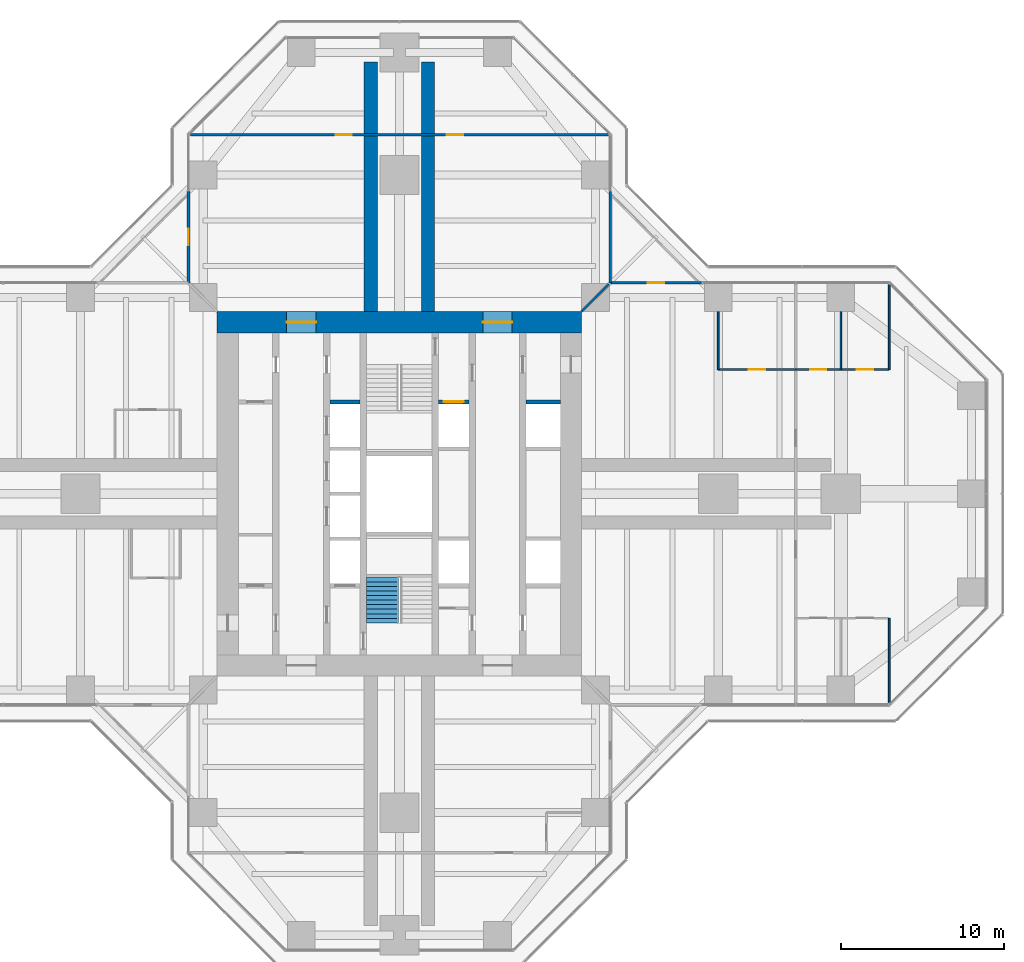
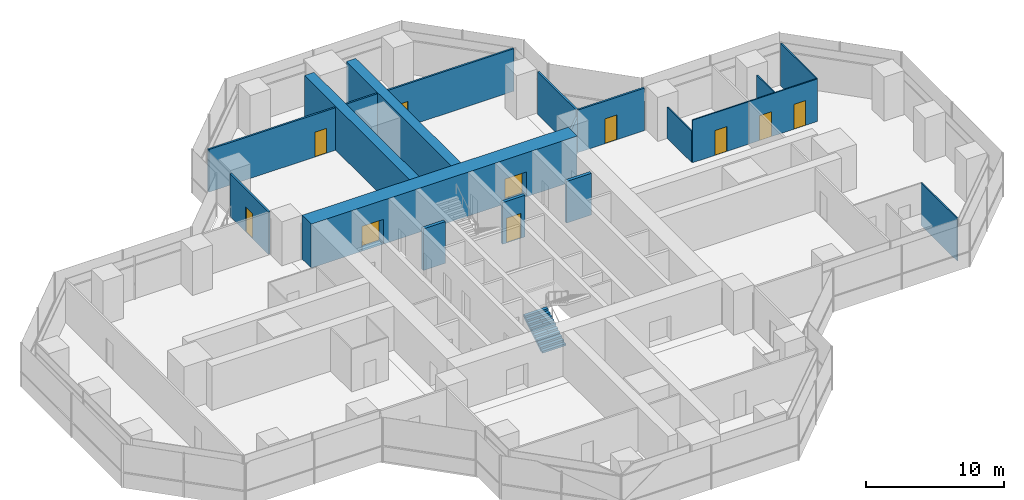
# One storey, part 17 of 19: 17 walls, 10 doors, 1 stair flight, 10 openings, 1 element without a shape of its own.
"""IFC4 building model written with IfcOpenShell, lengths in metres."""

from ifc_helpers import new_model, si_unit, direction, frame, frame_2d, origin, place, context, subcontext, project, spatial, polyline, rectangle, outline, extrude, material, layer, layer_set, type_object, element, fill, aggregate, save


model = new_model("IFC4")

# Units and contexts
model_context = context("Model", 3, precision=1e-05, world=origin(), true_north=direction((0.0, 1.0)))
body_context = subcontext(model_context, "Body", "Model", "MODEL_VIEW")
ifc_project = project(units=[si_unit("LENGTHUNIT", "METRE"), si_unit("AREAUNIT", "SQUARE_METRE"), si_unit("VOLUMEUNIT", "CUBIC_METRE"), si_unit("PLANEANGLEUNIT", "RADIAN"), si_unit("MASSUNIT", "GRAM", prefix="KILO")], contexts=[model_context])

# Site, building, storey
site_placement = place(None, origin())
site = spatial("IfcSite", under=ifc_project, at=site_placement, CompositionType="ELEMENT")
building_placement = place(site_placement, origin())
building = spatial("IfcBuilding", under=site, at=building_placement, Name="Mizan Broadcast Tower", CompositionType="ELEMENT")
storey_placement = place(building_placement, frame((0.0, 0.0, 128.10009765625)))
storey = spatial("IfcBuildingStorey", under=building, at=storey_placement, Name="L28", CompositionType="ELEMENT", Elevation=128.10009765625)

# Wall, openings, doors
ifc_material_1 = material(Name="Concrete C70/85", Category="concrete")
ifc_layer_1 = layer(ifc_material_1, 1.300048828125)
ifc_layer_set_1 = layer_set([ifc_layer_1], Name="Concrete C70/85")
wall_type_1 = type_object("IfcWallType", Name="CORE WALL 1300", PredefinedType="SHEAR", material=ifc_layer_set_1)
wall_1_placement = place(storey_placement, frame((-11.14990234375, 10.5, 0.0), z_axis=(0.0, 0.0, 1.0), x_axis=(1.0, 0.0, 0.0)))
wall_1 = element("IfcWall", 1, at=wall_1_placement, inside=storey, type_object=wall_type_1, Name="Core wall N L28", PredefinedType="SHEAR", context=body_context, shape_type="SweptSolid", body=[
    extrude(rectangle(XDim=22.2998046875, YDim=1.300048828125, at=frame_2d((11.14990234375, 0.0))), origin(), (0.0, 0.0, 1.0), 3.89990234375),
])
opening_1_placement = place(wall_1_placement, frame((4.25, 0.0, 0.0)))
opening_1 = element("IfcOpeningElement", 2, at=opening_1_placement, cuts=wall_1, Name="Opening D18F", PredefinedType="OPENING", context=body_context, shape_type="SweptSolid", body=[
    extrude(rectangle(XDim=1.800048828125, YDim=2.199951171875, at=frame_2d((0.89990234375, 1.10009765625))), frame((0.0, 0.659912109375, 0.0), z_axis=(0.0, -1.0, 0.0), x_axis=(1.0, 0.0, 0.0)), (0.0, 0.0, 1.0), 1.320068359375),
])
opening_2_placement = place(wall_1_placement, frame((16.25, 0.0, 0.0)))
opening_2 = element("IfcOpeningElement", 3, at=opening_2_placement, cuts=wall_1, Name="Opening D18F", PredefinedType="OPENING", context=body_context, shape_type="SweptSolid", body=[
    extrude(rectangle(XDim=1.800048828125, YDim=2.199951171875, at=frame_2d((0.89990234375, 1.10009765625))), frame((0.0, 0.659912109375, 0.0), z_axis=(0.0, -1.0, 0.0), x_axis=(1.0, 0.0, 0.0)), (0.0, 0.0, 1.0), 1.320068359375),
])
ifc_material_2 = material(Name="Steel door leaf in steel frame", Category="steel")
door_type_1 = type_object("IfcDoorType", Name="LOBBY DOUBLE DOOR 1800 FD90", OperationType="DOUBLE_DOOR_DOUBLE_SWING", PredefinedType="DOOR", material=ifc_material_2)
door_1_placement = place(opening_1_placement, origin())
door_1 = element("IfcDoor", 4, at=door_1_placement, inside=storey, type_object=door_type_1, Name="West lift lobby north door", OperationType="DOUBLE_DOOR_DOUBLE_SWING", OverallHeight=2.199951171875, OverallWidth=1.800048828125, PredefinedType="DOOR", context=body_context, shape_type="SweptSolid", body=[
    extrude(rectangle(XDim=1.800048828125, YDim=2.199951171875, at=frame_2d((0.89990234375, 1.10009765625))), frame((0.0, 0.02490234375, 0.0), z_axis=(0.0, -1.0, 0.0), x_axis=(1.0, 0.0, 0.0)), (0.0, 0.0, 1.0), 0.050048828125),
])
fill(opening_1, door_1)
door_2_placement = place(opening_2_placement, origin())
door_2 = element("IfcDoor", 5, at=door_2_placement, inside=storey, type_object=door_type_1, Name="East lift lobby north door", OperationType="DOUBLE_DOOR_DOUBLE_SWING", OverallHeight=2.199951171875, OverallWidth=1.800048828125, PredefinedType="DOOR", context=body_context, shape_type="SweptSolid", body=[
    extrude(rectangle(XDim=1.800048828125, YDim=2.199951171875, at=frame_2d((0.89990234375, 1.10009765625))), frame((0.0, 0.02490234375, 0.0), z_axis=(0.0, -1.0, 0.0), x_axis=(1.0, 0.0, 0.0)), (0.0, 0.0, 1.0), 0.050048828125),
])
fill(opening_2, door_2)

# Wall, opening, door
ifc_material_3 = material(Name="Aluminium framed glazed screen", Category="aluminium")
ifc_layer_2 = layer(ifc_material_3, 0.159912109375)
ifc_layer_set_2 = layer_set([ifc_layer_2], Name="Aluminium framed glazed screen")
wall_type_2 = type_object("IfcWallType", Name="GLAZED SCREEN WALL 160", PredefinedType="SOLIDWALL", material=ifc_layer_set_2)
wall_2_placement = place(storey_placement, frame((18.5, 12.89990234375, 0.0), z_axis=(0.0, 0.0, 1.0), x_axis=(-1.0, 0.0, 0.0)))
wall_2 = element("IfcWall", 6, at=wall_2_placement, inside=storey, type_object=wall_type_2, Name="Winter garden screen L28 E", PredefinedType="SOLIDWALL", context=body_context, shape_type="SweptSolid", body=[
    extrude(rectangle(XDim=5.60009765625, YDim=0.159912109375, at=frame_2d((2.800048828125, 0.0))), origin(), (0.0, 0.0, 1.0), 3.77001953125),
])
opening_3_placement = place(wall_2_placement, frame((2.300048828125, 0.0, 0.0)))
opening_3 = element("IfcOpeningElement", 7, at=opening_3_placement, cuts=wall_2, Name="Opening WGD", PredefinedType="OPENING", context=body_context, shape_type="SweptSolid", body=[
    extrude(rectangle(XDim=1.0, YDim=2.199951171875, at=frame_2d((0.5, 1.10009765625))), frame((0.0, 0.08984375, 0.0), z_axis=(0.0, -1.0, 0.0), x_axis=(1.0, 0.0, 0.0)), (0.0, 0.0, 1.0), 0.179931640625),
])
ifc_material_4 = material(Name="Aluminium framed glazed door", Category="aluminium")
door_type_2 = type_object("IfcDoorType", Name="WINTER GARDEN DOOR 1000 GLAZED", OperationType="SINGLE_SWING_LEFT", PredefinedType="DOOR", material=ifc_material_4)
door_3_placement = place(opening_3_placement, origin())
door_3 = element("IfcDoor", 8, at=door_3_placement, inside=storey, type_object=door_type_2, Name="Winter garden door L28 E", OperationType="SINGLE_SWING_RIGHT", OverallHeight=2.199951171875, OverallWidth=1.0, PredefinedType="DOOR", context=body_context, shape_type="SweptSolid", body=[
    extrude(rectangle(XDim=1.0, YDim=2.199951171875, at=frame_2d((0.5, 1.10009765625))), frame((0.0, 0.02490234375, 0.0), z_axis=(0.0, -1.0, 0.0), x_axis=(1.0, 0.0, 0.0)), (0.0, 0.0, 1.0), 0.050048828125),
])
fill(opening_3, door_3)

# Wall
wall_3_placement = place(storey_placement, frame((12.89990234375, 12.89990234375, 0.0), z_axis=(0.0, 0.0, 1.0), x_axis=(0.0, 1.0, 0.0)))
element("IfcWall", 9, at=wall_3_placement, inside=storey, type_object=wall_type_2, Name="Winter garden screen L28 N", PredefinedType="SOLIDWALL", context=body_context, shape_type="SweptSolid", body=[
    extrude(rectangle(XDim=5.60009765625, YDim=0.159912109375, at=frame_2d((2.800048828125, 0.0))), origin(), (0.0, 0.0, 1.0), 3.77001953125),
])

# Wall, opening, door
wall_4_placement = place(storey_placement, frame((-12.89990234375, 18.5, 0.0), z_axis=(0.0, 0.0, 1.0), x_axis=(0.0, -1.0, 0.0)))
wall_4 = element("IfcWall", 10, at=wall_4_placement, inside=storey, type_object=wall_type_2, Name="Winter garden screen L28 N", PredefinedType="SOLIDWALL", context=body_context, shape_type="SweptSolid", body=[
    extrude(rectangle(XDim=5.60009765625, YDim=0.159912109375, at=frame_2d((2.800048828125, 0.0))), origin(), (0.0, 0.0, 1.0), 3.77001953125),
])
opening_4_placement = place(wall_4_placement, frame((2.300048828125, 0.0, 0.0)))
opening_4 = element("IfcOpeningElement", 11, at=opening_4_placement, cuts=wall_4, Name="Opening WGD", PredefinedType="OPENING", context=body_context, shape_type="SweptSolid", body=[
    extrude(rectangle(XDim=1.0, YDim=2.199951171875, at=frame_2d((0.5, 1.10009765625))), frame((0.0, 0.08984375, 0.0), z_axis=(0.0, -1.0, 0.0), x_axis=(1.0, 0.0, 0.0)), (0.0, 0.0, 1.0), 0.179931640625),
])
door_4_placement = place(opening_4_placement, origin())
door_4 = element("IfcDoor", 12, at=door_4_placement, inside=storey, type_object=door_type_2, Name="Winter garden door L28 N", OperationType="SINGLE_SWING_RIGHT", OverallHeight=2.199951171875, OverallWidth=1.0, PredefinedType="DOOR", context=body_context, shape_type="SweptSolid", body=[
    extrude(rectangle(XDim=1.0, YDim=2.199951171875, at=frame_2d((0.5, 1.10009765625))), frame((0.0, 0.02490234375, 0.0), z_axis=(0.0, -1.0, 0.0), x_axis=(1.0, 0.0, 0.0)), (0.0, 0.0, 1.0), 0.050048828125),
])
fill(opening_4, door_4)

# Wall
ifc_material_5 = material(Name="Concrete blockwork", Category="masonry")
ifc_layer_3 = layer(ifc_material_5, 0.25)
ifc_layer_set_3 = layer_set([ifc_layer_3], Name="Concrete blockwork")
wall_type_3 = type_object("IfcWallType", Name="LOBBY ENCLOSURE WALL 250", PredefinedType="SOLIDWALL", material=ifc_layer_set_3)
wall_5_placement = place(storey_placement, frame((-4.25, 5.625, 0.0), z_axis=(0.0, 0.0, 1.0), x_axis=(1.0, 0.0, 0.0)))
element("IfcWall", 13, at=wall_5_placement, inside=storey, type_object=wall_type_3, Name="Lobby enclosure wall CORE/BW2N", PredefinedType="SOLIDWALL", context=body_context, shape_type="SweptSolid", body=[
    extrude(rectangle(XDim=1.85009765625, YDim=0.25, at=frame_2d((0.925048828125, 0.0))), origin(), (0.0, 0.0, 1.0), 3.699951171875),
])

# Wall, opening, door
wall_6_placement = place(storey_placement, frame((2.39990234375, 5.625, 0.0), z_axis=(0.0, 0.0, 1.0), x_axis=(1.0, 0.0, 0.0)))
wall_6 = element("IfcWall", 14, at=wall_6_placement, inside=storey, type_object=wall_type_3, Name="Lobby enclosure wall CORE/BE2N", PredefinedType="SOLIDWALL", context=body_context, shape_type="SweptSolid", body=[
    extrude(rectangle(XDim=1.85009765625, YDim=0.25, at=frame_2d((0.925048828125, 0.0))), origin(), (0.0, 0.0, 1.0), 3.699951171875),
])
opening_5_placement = place(wall_6_placement, frame((0.324951171875, 0.0, 0.0)))
opening_5 = element("IfcOpeningElement", 15, at=opening_5_placement, cuts=wall_6, Name="Opening LDF", PredefinedType="OPENING", context=body_context, shape_type="SweptSolid", body=[
    extrude(rectangle(XDim=1.199951171875, YDim=2.199951171875, at=frame_2d((0.60009765625, 1.10009765625))), frame((0.0, 0.135009765625, 0.0), z_axis=(0.0, -1.0, 0.0), x_axis=(1.0, 0.0, 0.0)), (0.0, 0.0, 1.0), 0.27001953125),
])
ifc_material_6 = material(Name="Steel door leaf in steel frame", Category="steel")
door_type_3 = type_object("IfcDoorType", Name="FIREFIGHTING LIFT LANDING DOOR 1200", OperationType="SLIDING_TO_LEFT", PredefinedType="DOOR", material=ifc_material_6)
door_5_placement = place(opening_5_placement, origin())
door_5 = element("IfcDoor", 16, at=door_5_placement, inside=storey, type_object=door_type_3, Name="Landing door FF2", OperationType="SLIDING_TO_LEFT", OverallHeight=2.199951171875, OverallWidth=1.199951171875, PredefinedType="DOOR", context=body_context, shape_type="SweptSolid", body=[
    extrude(rectangle(XDim=1.199951171875, YDim=2.199951171875, at=frame_2d((0.60009765625, 1.10009765625))), frame((0.0, 0.02490234375, 0.0), z_axis=(0.0, -1.0, 0.0), x_axis=(1.0, 0.0, 0.0)), (0.0, 0.0, 1.0), 0.050048828125),
])
fill(opening_5, door_5)

# Wall
wall_7_placement = place(storey_placement, frame((7.75, 5.625, 0.0), z_axis=(0.0, 0.0, 1.0), x_axis=(1.0, 0.0, 0.0)))
element("IfcWall", 17, at=wall_7_placement, inside=storey, type_object=wall_type_3, Name="Lobby enclosure wall CORE/BE1N", PredefinedType="SOLIDWALL", context=body_context, shape_type="SweptSolid", body=[
    extrude(rectangle(XDim=2.10009765625, YDim=0.25, at=frame_2d((1.050048828125, 0.0))), origin(), (0.0, 0.0, 1.0), 3.699951171875),
])

# Wall, openings, doors
ifc_material_7 = material(Name="Gypsum board on steel studs", Category="steel")
ifc_layer_4 = layer(ifc_material_7, 0.14990234375)
ifc_layer_set_4 = layer_set([ifc_layer_4], Name="Gypsum board on steel studs")
wall_type_4 = type_object("IfcWallType", Name="PARTITION 150", PredefinedType="PARTITIONING", material=ifc_layer_set_4)
wall_8_placement = place(storey_placement, frame((12.786376953125, 21.958984375, 0.0), z_axis=(0.0, 0.0, 1.0), x_axis=(-1.0, 0.0, 0.0)))
wall_8 = element("IfcWall", 18, at=wall_8_placement, inside=storey, type_object=wall_type_4, Name="Partition PT/NX1", PredefinedType="PARTITIONING", context=body_context, shape_type="SweptSolid", body=[
    extrude(rectangle(XDim=25.57275390625, YDim=0.14990234375, at=frame_2d((12.786376953125, 0.0))), origin(), (0.0, 0.0, 1.0), 3.77001953125),
])
opening_6_placement = place(wall_8_placement, frame((15.6865234375, 0.0, 0.0)))
opening_6 = element("IfcOpeningElement", 19, at=opening_6_placement, cuts=wall_8, Name="Opening D10", PredefinedType="OPENING", context=body_context, shape_type="SweptSolid", body=[
    extrude(rectangle(XDim=1.0, YDim=2.199951171875, at=frame_2d((0.5, 1.10009765625))), frame((0.0, 0.0849609375, 0.0), z_axis=(0.0, -1.0, 0.0), x_axis=(1.0, 0.0, 0.0)), (0.0, 0.0, 1.0), 0.169921875),
])
opening_7_placement = place(wall_8_placement, frame((8.886474609375, 0.0, 0.0)))
opening_7 = element("IfcOpeningElement", 20, at=opening_7_placement, cuts=wall_8, Name="Opening D10", PredefinedType="OPENING", context=body_context, shape_type="SweptSolid", body=[
    extrude(rectangle(XDim=1.0, YDim=2.199951171875, at=frame_2d((0.5, 1.10009765625))), frame((0.0, 0.0849609375, 0.0), z_axis=(0.0, -1.0, 0.0), x_axis=(1.0, 0.0, 0.0)), (0.0, 0.0, 1.0), 0.169921875),
])
ifc_material_8 = material(Name="Timber door leaf in aluminium frame", Category="wood")
door_type_4 = type_object("IfcDoorType", Name="ROOM DOOR 1000", OperationType="SINGLE_SWING_LEFT", PredefinedType="DOOR", material=ifc_material_8)
door_6_placement = place(opening_6_placement, origin())
door_6 = element("IfcDoor", 21, at=door_6_placement, inside=storey, type_object=door_type_4, Name="Finance director's office door", OperationType="SINGLE_SWING_RIGHT", OverallHeight=2.199951171875, OverallWidth=1.0, PredefinedType="DOOR", context=body_context, shape_type="SweptSolid", body=[
    extrude(rectangle(XDim=1.0, YDim=2.199951171875, at=frame_2d((0.5, 1.10009765625))), frame((0.0, 0.02490234375, 0.0), z_axis=(0.0, -1.0, 0.0), x_axis=(1.0, 0.0, 0.0)), (0.0, 0.0, 1.0), 0.050048828125),
])
fill(opening_6, door_6)
door_7_placement = place(opening_7_placement, origin())
door_7 = element("IfcDoor", 22, at=door_7_placement, inside=storey, type_object=door_type_4, Name="Finance director's office door", OperationType="SINGLE_SWING_LEFT", OverallHeight=2.199951171875, OverallWidth=1.0, PredefinedType="DOOR", context=body_context, shape_type="SweptSolid", body=[
    extrude(rectangle(XDim=1.0, YDim=2.199951171875, at=frame_2d((0.5, 1.10009765625))), frame((0.0, 0.02490234375, 0.0), z_axis=(0.0, -1.0, 0.0), x_axis=(1.0, 0.0, 0.0)), (0.0, 0.0, 1.0), 0.050048828125),
])
fill(opening_7, door_7)

# Wall
wall_9_placement = place(storey_placement, frame((11.14990234375, 11.14990234375, 0.0), z_axis=(0.0, 0.0, 1.0), x_axis=(0.707106781187, 0.707106781187, 0.0)))
element("IfcWall", 23, at=wall_9_placement, inside=storey, type_object=wall_type_4, Name="Partition PT/DGEN", PredefinedType="PARTITIONING", context=body_context, shape_type="SweptSolid", body=[
    extrude(rectangle(XDim=2.362060546875, YDim=0.14990234375, at=frame_2d((1.18115234375, 0.0))), origin(), (0.0, 0.0, 1.0), 3.219970703125),
])

# Wall, opening, door
ifc_material_9 = material(Name="Glazed aluminium partition on aluminium track", Category="aluminium")
ifc_layer_5 = layer(ifc_material_9, 0.10009765625)
ifc_layer_set_5 = layer_set([ifc_layer_5], Name="Glazed aluminium partition on aluminium track")
wall_type_5 = type_object("IfcWallType", Name="PARTITION GLAZED OFFICE FRONT 100", PredefinedType="PARTITIONING", material=ifc_layer_set_5)
wall_10_placement = place(storey_placement, frame((19.5, 7.60009765625, 0.0), z_axis=(0.0, 0.0, 1.0), x_axis=(1.0, 0.0, 0.0)))
wall_10 = element("IfcWall", 24, at=wall_10_placement, inside=storey, type_object=wall_type_5, Name="Glazed office front PT/ECP0", PredefinedType="PARTITIONING", context=body_context, shape_type="SweptSolid", body=[
    extrude(rectangle(XDim=4.72900390625, YDim=0.10009765625, at=frame_2d((2.364501953125, 0.0))), origin(), (0.0, 0.0, 1.0), 3.77001953125),
])
opening_8_placement = place(wall_10_placement, frame((1.864501953125, 0.0, 0.0)))
opening_8 = element("IfcOpeningElement", 25, at=opening_8_placement, cuts=wall_10, Name="Opening D10O", PredefinedType="OPENING", context=body_context, shape_type="SweptSolid", body=[
    extrude(rectangle(XDim=1.0, YDim=2.199951171875, at=frame_2d((0.5, 1.10009765625))), frame((0.0, 0.06005859375, 0.0), z_axis=(0.0, -1.0, 0.0), x_axis=(1.0, 0.0, 0.0)), (0.0, 0.0, 1.0), 0.1201171875),
])
ifc_material_10 = material(Name="Timber door leaf in aluminium frame", Category="wood")
door_type_5 = type_object("IfcDoorType", Name="OFFICE DOOR 1000 GLAZED", OperationType="SINGLE_SWING_LEFT", PredefinedType="DOOR", material=ifc_material_10)
door_8_placement = place(opening_8_placement, origin())
door_8 = element("IfcDoor", 26, at=door_8_placement, inside=storey, type_object=door_type_5, Name="Office door", OperationType="SINGLE_SWING_LEFT", OverallHeight=2.199951171875, OverallWidth=1.0, PredefinedType="DOOR", context=body_context, shape_type="SweptSolid", body=[
    extrude(rectangle(XDim=1.0, YDim=2.199951171875, at=frame_2d((0.5, 1.10009765625))), frame((0.0, 0.02490234375, 0.0), z_axis=(0.0, -1.0, 0.0), x_axis=(1.0, 0.0, 0.0)), (0.0, 0.0, 1.0), 0.050048828125),
])
fill(opening_8, door_8)

# Wall, openings, doors
wall_11_placement = place(storey_placement, frame((24.22900390625, 7.60009765625, 0.0), z_axis=(0.0, 0.0, 1.0), x_axis=(1.0, 0.0, 0.0)))
wall_11 = element("IfcWall", 27, at=wall_11_placement, inside=storey, type_object=wall_type_5, Name="Glazed office front PT/ECP1", PredefinedType="PARTITIONING", context=body_context, shape_type="SweptSolid", body=[
    extrude(rectangle(XDim=5.72998046875, YDim=0.10009765625, at=frame_2d((2.864990234375, 0.0))), origin(), (0.0, 0.0, 1.0), 3.77001953125),
])
opening_9_placement = place(wall_11_placement, frame((0.885498046875, 0.0, 0.0)))
opening_9 = element("IfcOpeningElement", 28, at=opening_9_placement, cuts=wall_11, Name="Opening D10O", PredefinedType="OPENING", context=body_context, shape_type="SweptSolid", body=[
    extrude(rectangle(XDim=1.0, YDim=2.199951171875, at=frame_2d((0.5, 1.10009765625))), frame((0.0, 0.06005859375, 0.0), z_axis=(0.0, -1.0, 0.0), x_axis=(1.0, 0.0, 0.0)), (0.0, 0.0, 1.0), 0.1201171875),
])
opening_10_placement = place(wall_11_placement, frame((3.75048828125, 0.0, 0.0)))
opening_10 = element("IfcOpeningElement", 29, at=opening_10_placement, cuts=wall_11, Name="Opening D10O", PredefinedType="OPENING", context=body_context, shape_type="SweptSolid", body=[
    extrude(rectangle(XDim=1.0, YDim=2.199951171875, at=frame_2d((0.5, 1.10009765625))), frame((0.0, 0.06005859375, 0.0), z_axis=(0.0, -1.0, 0.0), x_axis=(1.0, 0.0, 0.0)), (0.0, 0.0, 1.0), 0.1201171875),
])
door_9_placement = place(opening_9_placement, origin())
door_9 = element("IfcDoor", 30, at=door_9_placement, inside=storey, type_object=door_type_5, Name="Office door", OperationType="SINGLE_SWING_LEFT", OverallHeight=2.199951171875, OverallWidth=1.0, PredefinedType="DOOR", context=body_context, shape_type="SweptSolid", body=[
    extrude(rectangle(XDim=1.0, YDim=2.199951171875, at=frame_2d((0.5, 1.10009765625))), frame((0.0, 0.02490234375, 0.0), z_axis=(0.0, -1.0, 0.0), x_axis=(1.0, 0.0, 0.0)), (0.0, 0.0, 1.0), 0.050048828125),
])
fill(opening_9, door_9)
door_10_placement = place(opening_10_placement, origin())
door_10 = element("IfcDoor", 31, at=door_10_placement, inside=storey, type_object=door_type_5, Name="Office door", OperationType="SINGLE_SWING_RIGHT", OverallHeight=2.199951171875, OverallWidth=1.0, PredefinedType="DOOR", context=body_context, shape_type="SweptSolid", body=[
    extrude(rectangle(XDim=1.0, YDim=2.199951171875, at=frame_2d((0.5, 1.10009765625))), frame((0.0, 0.02490234375, 0.0), z_axis=(0.0, -1.0, 0.0), x_axis=(1.0, 0.0, 0.0)), (0.0, 0.0, 1.0), 0.050048828125),
])
fill(opening_10, door_10)

# Walls
wall_12_placement = place(storey_placement, frame((19.5, 7.60009765625, 0.0), z_axis=(0.0, 0.0, 1.0), x_axis=(0.0, 1.0, 0.0)))
element("IfcWall", 32, at=wall_12_placement, inside=storey, type_object=wall_type_5, Name="Glazed office front PT/EQP1950", PredefinedType="PARTITIONING", context=body_context, shape_type="SweptSolid", body=[
    extrude(rectangle(XDim=3.5498046875, YDim=0.10009765625, at=frame_2d((1.77490234375, 0.0))), origin(), (0.0, 0.0, 1.0), 2.77001953125),
])
wall_13_placement = place(storey_placement, frame((27.0, 7.60009765625, 0.0), z_axis=(0.0, 0.0, 1.0), x_axis=(0.0, 1.0, 0.0)))
element("IfcWall", 33, at=wall_13_placement, inside=storey, type_object=wall_type_5, Name="Glazed office front PT/EQP2700", PredefinedType="PARTITIONING", context=body_context, shape_type="SweptSolid", body=[
    extrude(rectangle(XDim=3.5498046875, YDim=0.10009765625, at=frame_2d((1.77490234375, 0.0))), origin(), (0.0, 0.0, 1.0), 2.969970703125),
])
for number, where, z_axis, x_axis, name in (
    (34, (29.958984375, 7.60009765625, 0.0), (0.0, 0.0, 1.0), (0.0, 1.0, 0.0), "Glazed office front PT/EQP2996"),
    (35, (29.958984375, -7.60009765625, 0.0), (0.0, 0.0, 1.0), (0.0, -1.0, 0.0), "Glazed office front PT/EQN2996"),
):
    element("IfcWall", number, at=place(storey_placement, frame(where, z_axis=z_axis, x_axis=x_axis)), inside=storey, type_object=wall_type_5, Name=name, PredefinedType="PARTITIONING", context=body_context, shape_type="SweptSolid", body=[
        extrude(rectangle(XDim=5.219970703125, YDim=0.10009765625, at=frame_2d((2.60986328125, 0.0))), origin(), (0.0, 0.0, 1.0), 3.77001953125),
    ])
ifc_material_11 = material(Name="Concrete C70/85", Category="concrete")
ifc_layer_6 = layer(ifc_material_11, 0.800048828125)
ifc_layer_set_6 = layer_set([ifc_layer_6], Name="Concrete C70/85")
wall_type_6 = type_object("IfcWallType", Name="SPINE WALL 800", PredefinedType="SHEAR", material=ifc_layer_set_6)
for number, where, z_axis, x_axis, name in (
    (36, (1.75, 11.14990234375, 0.0), (0.0, 0.0, 1.0), (0.0, 1.0, 0.0), "Spine wall NR L28"),
    (37, (-1.75, 11.14990234375, 0.0), (0.0, 0.0, 1.0), (0.0, 1.0, 0.0), "Spine wall NL L28"),
):
    element("IfcWall", number, at=place(storey_placement, frame(where, z_axis=z_axis, x_axis=x_axis)), inside=storey, type_object=wall_type_6, Name=name, PredefinedType="SHEAR", context=body_context, shape_type="SweptSolid", body=[
        extrude(rectangle(XDim=15.25, YDim=0.800048828125, at=frame_2d((7.625, 0.0))), origin(), (0.0, 0.0, 1.0), 3.89990234375),
    ])

# Stair, stair flight
ifc_material_12 = material(Name="Concrete C40/50", Category="concrete")
stair_type = type_object("IfcStairType", Name="EXIT STAIR", PredefinedType="HALF_TURN_STAIR", material=ifc_material_12)
stair_placement = place(storey_placement, origin())
stair = element("IfcStair", 38, at=stair_placement, inside=storey, type_object=stair_type, Name="Stair A L28", PredefinedType="HALF_TURN_STAIR")
ifc_material_13 = material(Name="Concrete C40/50", Category="concrete")
stair_flight_type = type_object("IfcStairFlightType", Name="EXIT STAIR FLIGHT", PredefinedType="STRAIGHT", material=ifc_material_13)
stair_flight_placement = place(storey_placement, frame((-1.02490234375, -7.89990234375, 0.0), z_axis=(0.0, 0.0, 1.0), x_axis=(0.0, 1.0, 0.0)))
stair_flight = element("IfcStairFlight", 39, at=stair_flight_placement, type_object=stair_flight_type, Name="A flight 1", NumberOfRisers=11, NumberOfTreads=10, PredefinedType="STRAIGHT", RiserHeight=0.177272727, TreadLength=0.28, context=body_context, shape_type="SweptSolid", body=[
    extrude(outline(polyline([(0.0, 0.0), (0.0, 0.17724609375), (0.280029296875, 0.17724609375), (0.280029296875, 0.3544921875), (0.56005859375, 0.3544921875), (0.56005859375, 0.53173828125), (0.840087890625, 0.53173828125), (0.840087890625, 0.708984375), (1.1201171875, 0.708984375), (1.1201171875, 0.886474609375), (1.39990234375, 0.886474609375), (1.39990234375, 1.063720703125), (1.679931640625, 1.063720703125), (1.679931640625, 1.240966796875), (1.9599609375, 1.240966796875), (1.9599609375, 1.418212890625), (2.239990234375, 1.418212890625), (2.239990234375, 1.595458984375), (2.52001953125, 1.595458984375), (2.52001953125, 1.772705078125), (2.800048828125, 1.772705078125), (2.800048828125, 1.949951171875), (2.800048828125, 1.59521484375), (0.2802734375, 0.0), (0.0, 0.0)])), frame((0.0, 0.97509765625, 0.0), z_axis=(0.0, -1.0, 0.0), x_axis=(1.0, 0.0, 0.0)), (0.0, 0.0, 1.0), 0.4873046875),
    extrude(outline(polyline([(0.0, 0.0), (0.0, 0.17724609375), (0.280029296875, 0.17724609375), (0.280029296875, 0.3544921875), (0.56005859375, 0.3544921875), (0.56005859375, 0.53173828125), (0.840087890625, 0.53173828125), (0.840087890625, 0.708984375), (1.1201171875, 0.708984375), (1.1201171875, 0.886474609375), (1.39990234375, 0.886474609375), (1.39990234375, 1.063720703125), (1.679931640625, 1.063720703125), (1.679931640625, 1.240966796875), (1.9599609375, 1.240966796875), (1.9599609375, 1.418212890625), (2.239990234375, 1.418212890625), (2.239990234375, 1.595458984375), (2.52001953125, 1.595458984375), (2.52001953125, 1.772705078125), (2.800048828125, 1.772705078125), (2.800048828125, 1.949951171875), (2.800048828125, 1.59521484375), (0.2802734375, 0.0), (0.0, 0.0)])), frame((0.0, 0.4873046875, 0.0), z_axis=(0.0, -1.0, 0.0), x_axis=(1.0, 0.0, 0.0)), (0.0, 0.0, 1.0), 0.2431640625),
    extrude(outline(polyline([(0.0, 0.0), (0.0, 0.17724609375), (0.280029296875, 0.17724609375), (0.280029296875, 0.3544921875), (0.56005859375, 0.3544921875), (0.56005859375, 0.53173828125), (0.840087890625, 0.53173828125), (0.840087890625, 0.708984375), (1.1201171875, 0.708984375), (1.1201171875, 0.886474609375), (1.39990234375, 0.886474609375), (1.39990234375, 1.063720703125), (1.679931640625, 1.063720703125), (1.679931640625, 1.240966796875), (1.9599609375, 1.240966796875), (1.9599609375, 1.418212890625), (2.239990234375, 1.418212890625), (2.239990234375, 1.595458984375), (2.52001953125, 1.595458984375), (2.52001953125, 1.772705078125), (2.800048828125, 1.772705078125), (2.800048828125, 1.949951171875), (2.800048828125, 1.59521484375), (0.2802734375, 0.0), (0.0, 0.0)])), frame((0.0, 0.24365234375, 0.0), z_axis=(0.0, -1.0, 0.0), x_axis=(1.0, 0.0, 0.0)), (0.0, 0.0, 1.0), 0.121337890625),
    extrude(outline(polyline([(0.0, 0.0), (0.0, 0.17724609375), (0.280029296875, 0.17724609375), (0.280029296875, 0.3544921875), (0.56005859375, 0.3544921875), (0.56005859375, 0.53173828125), (0.840087890625, 0.53173828125), (0.840087890625, 0.708984375), (1.1201171875, 0.708984375), (1.1201171875, 0.886474609375), (1.39990234375, 0.886474609375), (1.39990234375, 1.063720703125), (1.679931640625, 1.063720703125), (1.679931640625, 1.240966796875), (1.9599609375, 1.240966796875), (1.9599609375, 1.418212890625), (2.239990234375, 1.418212890625), (2.239990234375, 1.595458984375), (2.52001953125, 1.595458984375), (2.52001953125, 1.772705078125), (2.800048828125, 1.772705078125), (2.800048828125, 1.949951171875), (2.800048828125, 1.59521484375), (0.2802734375, 0.0), (0.0, 0.0)])), frame((0.0, 0.121826171875, 0.0), z_axis=(0.0, -1.0, 0.0), x_axis=(1.0, 0.0, 0.0)), (0.0, 0.0, 1.0), 0.060546875),
    extrude(outline(polyline([(0.0, 0.0), (0.0, 0.17724609375), (0.280029296875, 0.17724609375), (0.280029296875, 0.3544921875), (0.56005859375, 0.3544921875), (0.56005859375, 0.53173828125), (0.840087890625, 0.53173828125), (0.840087890625, 0.708984375), (1.1201171875, 0.708984375), (1.1201171875, 0.886474609375), (1.39990234375, 0.886474609375), (1.39990234375, 1.063720703125), (1.679931640625, 1.063720703125), (1.679931640625, 1.240966796875), (1.9599609375, 1.240966796875), (1.9599609375, 1.418212890625), (2.239990234375, 1.418212890625), (2.239990234375, 1.595458984375), (2.52001953125, 1.595458984375), (2.52001953125, 1.772705078125), (2.800048828125, 1.772705078125), (2.800048828125, 1.949951171875), (2.800048828125, 1.59521484375), (0.2802734375, 0.0), (0.0, 0.0)])), frame((0.0, 0.060791015625, 0.0), z_axis=(0.0, -1.0, 0.0), x_axis=(1.0, 0.0, 0.0)), (0.0, 0.0, 1.0), 0.030029296875),
    extrude(outline(polyline([(0.0, 0.0), (0.0, 0.17724609375), (0.280029296875, 0.17724609375), (0.280029296875, 0.3544921875), (0.56005859375, 0.3544921875), (0.56005859375, 0.53173828125), (0.840087890625, 0.53173828125), (0.840087890625, 0.708984375), (1.1201171875, 0.708984375), (1.1201171875, 0.886474609375), (1.39990234375, 0.886474609375), (1.39990234375, 1.063720703125), (1.679931640625, 1.063720703125), (1.679931640625, 1.240966796875), (1.9599609375, 1.240966796875), (1.9599609375, 1.418212890625), (2.239990234375, 1.418212890625), (2.239990234375, 1.595458984375), (2.52001953125, 1.595458984375), (2.52001953125, 1.772705078125), (2.800048828125, 1.772705078125), (2.800048828125, 1.949951171875), (2.800048828125, 1.59521484375), (0.2802734375, 0.0), (0.0, 0.0)])), frame((0.0, 0.0302734375, 0.0), z_axis=(0.0, -1.0, 0.0), x_axis=(1.0, 0.0, 0.0)), (0.0, 0.0, 1.0), 0.060302734375),
    extrude(outline(polyline([(0.0, 0.0), (0.0, 0.17724609375), (0.280029296875, 0.17724609375), (0.280029296875, 0.3544921875), (0.56005859375, 0.3544921875), (0.56005859375, 0.53173828125), (0.840087890625, 0.53173828125), (0.840087890625, 0.708984375), (1.1201171875, 0.708984375), (1.1201171875, 0.886474609375), (1.39990234375, 0.886474609375), (1.39990234375, 1.063720703125), (1.679931640625, 1.063720703125), (1.679931640625, 1.240966796875), (1.9599609375, 1.240966796875), (1.9599609375, 1.418212890625), (2.239990234375, 1.418212890625), (2.239990234375, 1.595458984375), (2.52001953125, 1.595458984375), (2.52001953125, 1.772705078125), (2.800048828125, 1.772705078125), (2.800048828125, 1.949951171875), (2.800048828125, 1.59521484375), (0.2802734375, 0.0), (0.0, 0.0)])), frame((0.0, -0.030517578125, 0.0), z_axis=(0.0, -1.0, 0.0), x_axis=(1.0, 0.0, 0.0)), (0.0, 0.0, 1.0), 0.030029296875),
    extrude(outline(polyline([(0.0, 0.0), (0.0, 0.17724609375), (0.280029296875, 0.17724609375), (0.280029296875, 0.3544921875), (0.56005859375, 0.3544921875), (0.56005859375, 0.53173828125), (0.840087890625, 0.53173828125), (0.840087890625, 0.708984375), (1.1201171875, 0.708984375), (1.1201171875, 0.886474609375), (1.39990234375, 0.886474609375), (1.39990234375, 1.063720703125), (1.679931640625, 1.063720703125), (1.679931640625, 1.240966796875), (1.9599609375, 1.240966796875), (1.9599609375, 1.418212890625), (2.239990234375, 1.418212890625), (2.239990234375, 1.595458984375), (2.52001953125, 1.595458984375), (2.52001953125, 1.772705078125), (2.800048828125, 1.772705078125), (2.800048828125, 1.949951171875), (2.800048828125, 1.59521484375), (0.2802734375, 0.0), (0.0, 0.0)])), frame((0.0, -0.06103515625, 0.0), z_axis=(0.0, -1.0, 0.0), x_axis=(1.0, 0.0, 0.0)), (0.0, 0.0, 1.0), 0.060546875),
    extrude(outline(polyline([(0.0, 0.0), (0.0, 0.17724609375), (0.280029296875, 0.17724609375), (0.280029296875, 0.3544921875), (0.56005859375, 0.3544921875), (0.56005859375, 0.53173828125), (0.840087890625, 0.53173828125), (0.840087890625, 0.708984375), (1.1201171875, 0.708984375), (1.1201171875, 0.886474609375), (1.39990234375, 0.886474609375), (1.39990234375, 1.063720703125), (1.679931640625, 1.063720703125), (1.679931640625, 1.240966796875), (1.9599609375, 1.240966796875), (1.9599609375, 1.418212890625), (2.239990234375, 1.418212890625), (2.239990234375, 1.595458984375), (2.52001953125, 1.595458984375), (2.52001953125, 1.772705078125), (2.800048828125, 1.772705078125), (2.800048828125, 1.949951171875), (2.800048828125, 1.59521484375), (0.2802734375, 0.0), (0.0, 0.0)])), frame((0.0, -0.1220703125, 0.0), z_axis=(0.0, -1.0, 0.0), x_axis=(1.0, 0.0, 0.0)), (0.0, 0.0, 1.0), 0.121337890625),
    extrude(outline(polyline([(0.0, 0.0), (0.0, 0.17724609375), (0.280029296875, 0.17724609375), (0.280029296875, 0.3544921875), (0.56005859375, 0.3544921875), (0.56005859375, 0.53173828125), (0.840087890625, 0.53173828125), (0.840087890625, 0.708984375), (1.1201171875, 0.708984375), (1.1201171875, 0.886474609375), (1.39990234375, 0.886474609375), (1.39990234375, 1.063720703125), (1.679931640625, 1.063720703125), (1.679931640625, 1.240966796875), (1.9599609375, 1.240966796875), (1.9599609375, 1.418212890625), (2.239990234375, 1.418212890625), (2.239990234375, 1.595458984375), (2.52001953125, 1.595458984375), (2.52001953125, 1.772705078125), (2.800048828125, 1.772705078125), (2.800048828125, 1.949951171875), (2.800048828125, 1.59521484375), (0.2802734375, 0.0), (0.0, 0.0)])), frame((0.0, -0.243896484375, 0.0), z_axis=(0.0, -1.0, 0.0), x_axis=(1.0, 0.0, 0.0)), (0.0, 0.0, 1.0), 0.2431640625),
    extrude(outline(polyline([(0.0, 0.0), (0.0, 0.17724609375), (0.280029296875, 0.17724609375), (0.280029296875, 0.3544921875), (0.56005859375, 0.3544921875), (0.56005859375, 0.53173828125), (0.840087890625, 0.53173828125), (0.840087890625, 0.708984375), (1.1201171875, 0.708984375), (1.1201171875, 0.886474609375), (1.39990234375, 0.886474609375), (1.39990234375, 1.063720703125), (1.679931640625, 1.063720703125), (1.679931640625, 1.240966796875), (1.9599609375, 1.240966796875), (1.9599609375, 1.418212890625), (2.239990234375, 1.418212890625), (2.239990234375, 1.595458984375), (2.52001953125, 1.595458984375), (2.52001953125, 1.772705078125), (2.800048828125, 1.772705078125), (2.800048828125, 1.949951171875), (2.800048828125, 1.59521484375), (0.2802734375, 0.0), (0.0, 0.0)])), frame((0.0, -0.487548828125, 0.0), z_axis=(0.0, -1.0, 0.0), x_axis=(1.0, 0.0, 0.0)), (0.0, 0.0, 1.0), 0.4873046875),
])
aggregate(stair, [stair_flight])

save(model, "model.ifc")
